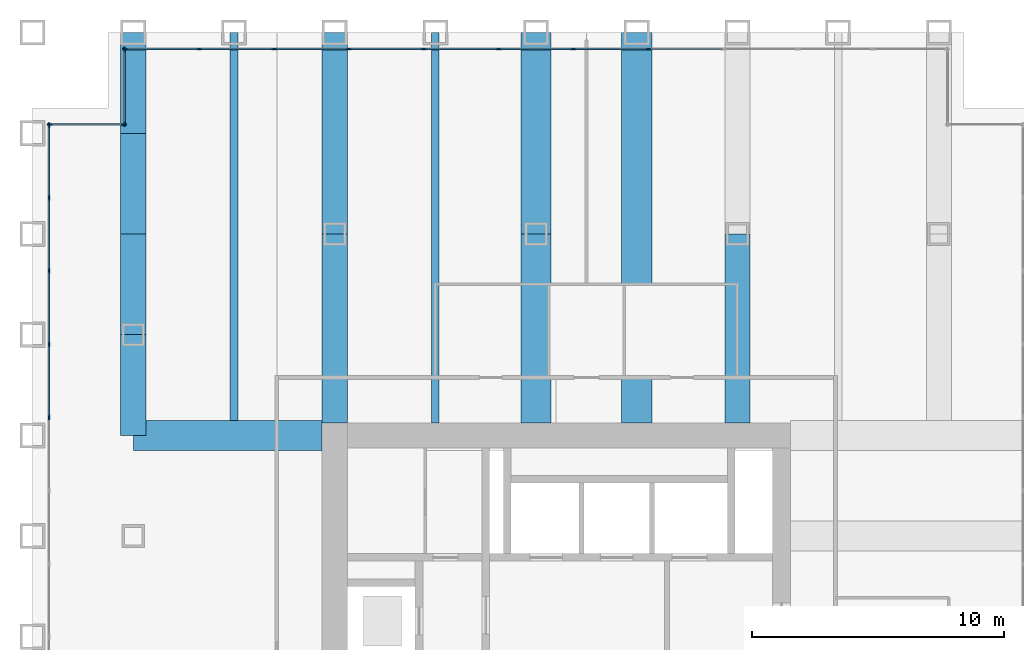
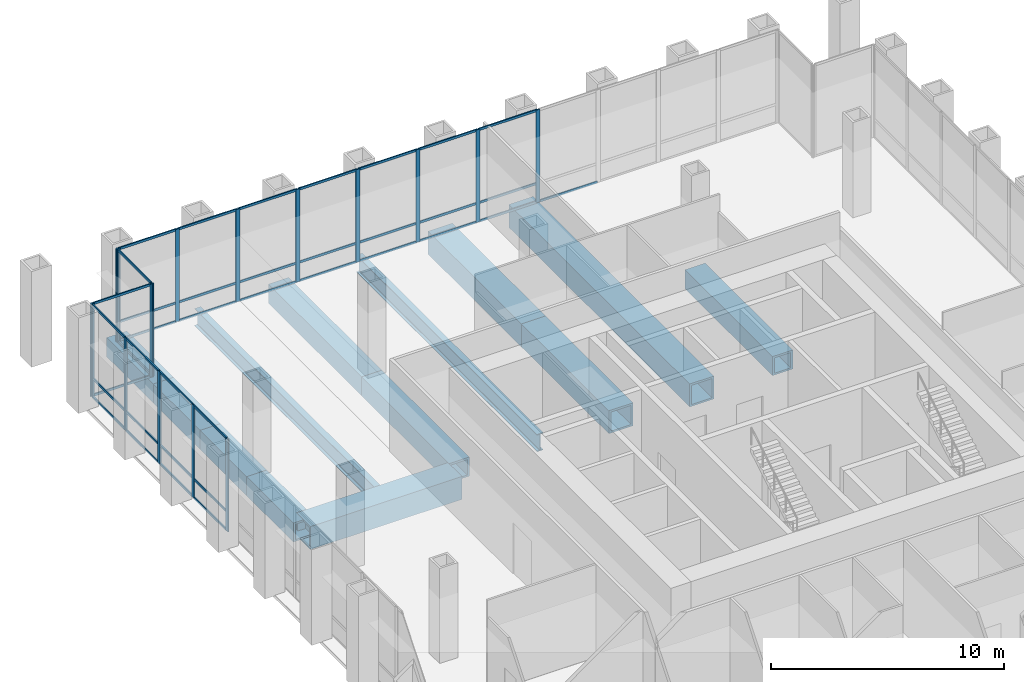
# One storey, part 6 of 13: 55 members, 13 beams, 4 elements without a shape of their own.
"""IFC4 building model written with IfcOpenShell, lengths in metres."""

from ifc_helpers import new_model, si_unit, direction, frame, origin, origin_2d, place, context, subcontext, project, spatial, rectangle, hollow_rectangle, i_section, extrude, material, material_profile, profile_set, type_object, element, aggregate, save


model = new_model("IFC4")

# Units and contexts
model_context = context("Model", 3, precision=1e-05, world=origin(), true_north=direction((0.0, 1.0)))
body_context = subcontext(model_context, "Body", "Model", "MODEL_VIEW")
ifc_project = project(units=[si_unit("LENGTHUNIT", "METRE"), si_unit("AREAUNIT", "SQUARE_METRE"), si_unit("VOLUMEUNIT", "CUBIC_METRE"), si_unit("PLANEANGLEUNIT", "RADIAN"), si_unit("MASSUNIT", "GRAM", prefix="KILO")], contexts=[model_context])

# Site, building, storey
site_placement = place(None, origin())
site = spatial("IfcSite", under=ifc_project, at=site_placement, CompositionType="ELEMENT")
building_placement = place(site_placement, origin())
building = spatial("IfcBuilding", under=site, at=building_placement, Name="Rimbunsela Tower", CompositionType="ELEMENT")
storey_placement = place(building_placement, frame((0.0, 0.0, 142.800048828125)))
storey = spatial("IfcBuildingStorey", under=building, at=storey_placement, Name="L34", CompositionType="ELEMENT", Elevation=142.800048828125)

# Beams
ifc_material_1 = material(Name="Steel BJ 55 (fy 410 MPa)", Category="steel")
ifc_material_profile_1 = material_profile(ifc_material_1, hollow_rectangle(XDim=1.0, YDim=1.0, WallThickness=0.10009765625, at=origin_2d()), Name="BOX 1000x1000x100")
ifc_profile_set_1 = profile_set([ifc_material_profile_1], Name="Steel BJ 55 (fy 410 MPa)")
beam_type_1 = type_object("IfcBeamType", Name="Beam BOX 1000x1000x100", PredefinedType="BEAM", material=ifc_profile_set_1)
for number, where, z_axis, x_axis, name in (
    (1, (10.0, 36.0, -0.650146484375), (0.0, 1.0, 0.0), (-1.0, 0.0, 0.0), "Beam B3 L34"),
    (2, (10.0, 40.0, -0.650146484375), (0.0, 1.0, 0.0), (-1.0, 0.0, 0.0), "Beam B3 L34"),
    (3, (10.0, 44.0, -0.650146484375), (0.0, 1.0, 0.0), (-1.0, 0.0, 0.0), "Beam B3 L34"),
    (4, (10.0, 48.0, -0.650146484375), (0.0, 1.0, 0.0), (-1.0, 0.0, 0.0), "Beam B3 L34"),
):
    element("IfcBeam", number, at=place(storey_placement, frame(where, z_axis=z_axis, x_axis=x_axis)), inside=storey, type_object=beam_type_1, Name=name, PredefinedType="BEAM", context=body_context, shape_type="SweptSolid", body=[
        extrude(hollow_rectangle(XDim=1.0, YDim=1.0, WallThickness=0.10009765625, at=origin_2d()), origin(), (0.0, 0.0, 1.0), 4.0),
    ])
beam_1_placement = place(storey_placement, frame((18.0, 36.5, -0.650146484375), z_axis=(0.0, 1.0, 0.0), x_axis=(-1.0, 0.0, 0.0)))
element("IfcBeam", 5, at=beam_1_placement, inside=storey, type_object=beam_type_1, Name="Beam B3 L34", PredefinedType="BEAM", context=body_context, shape_type="SweptSolid", body=[
    extrude(hollow_rectangle(XDim=1.0, YDim=1.0, WallThickness=0.10009765625, at=origin_2d()), origin(), (0.0, 0.0, 1.0), 7.5),
])
beam_2_placement = place(storey_placement, frame((18.0, 44.0, -0.650146484375), z_axis=(0.0, 1.0, 0.0), x_axis=(-1.0, 0.0, 0.0)))
element("IfcBeam", 6, at=beam_2_placement, inside=storey, type_object=beam_type_1, Name="Beam B3 L34", PredefinedType="BEAM", context=body_context, shape_type="SweptSolid", body=[
    extrude(hollow_rectangle(XDim=1.0, YDim=1.0, WallThickness=0.10009765625, at=origin_2d()), origin(), (0.0, 0.0, 1.0), 8.0),
])
beam_3_placement = place(storey_placement, frame((34.0, 36.5, -0.650146484375), z_axis=(0.0, 1.0, 0.0), x_axis=(-1.0, 0.0, 0.0)))
element("IfcBeam", 7, at=beam_3_placement, inside=storey, type_object=beam_type_1, Name="Beam B3 L34", PredefinedType="BEAM", context=body_context, shape_type="SweptSolid", body=[
    extrude(hollow_rectangle(XDim=1.0, YDim=1.0, WallThickness=0.10009765625, at=origin_2d()), origin(), (0.0, 0.0, 1.0), 7.5),
])
ifc_material_2 = material(Name="Steel BJ 55 (fy 410 MPa)", Category="steel")
ifc_material_profile_2 = material_profile(ifc_material_2, hollow_rectangle(XDim=1.199951171875, YDim=1.199951171875, WallThickness=0.10009765625, at=origin_2d()), Name="BOX 1200x1200x100")
ifc_profile_set_2 = profile_set([ifc_material_profile_2], Name="Steel BJ 55 (fy 410 MPa)")
beam_type_2 = type_object("IfcBeamType", Name="Beam BOX 1200x1200x100", PredefinedType="BEAM", material=ifc_profile_set_2)
for number, where, z_axis, x_axis, name in (
    (8, (10.0, 36.0, -0.75), (1.0, 0.0, 0.0), (0.0, 1.0, 0.0), "Beam B5 L34"),
    (9, (26.0, 36.5, -0.75), (0.0, 1.0, 0.0), (-1.0, 0.0, 0.0), "Beam B5 L34"),
):
    element("IfcBeam", number, at=place(storey_placement, frame(where, z_axis=z_axis, x_axis=x_axis)), inside=storey, type_object=beam_type_2, Name=name, PredefinedType="BEAM", context=body_context, shape_type="SweptSolid", body=[
        extrude(hollow_rectangle(XDim=1.199951171875, YDim=1.199951171875, WallThickness=0.10009765625, at=origin_2d()), origin(), (0.0, 0.0, 1.0), 7.5),
    ])
beam_4_placement = place(storey_placement, frame((26.0, 44.0, -0.75), z_axis=(0.0, 1.0, 0.0), x_axis=(-1.0, 0.0, 0.0)))
element("IfcBeam", 10, at=beam_4_placement, inside=storey, type_object=beam_type_2, Name="Beam B5 L34", PredefinedType="BEAM", context=body_context, shape_type="SweptSolid", body=[
    extrude(hollow_rectangle(XDim=1.199951171875, YDim=1.199951171875, WallThickness=0.10009765625, at=origin_2d()), origin(), (0.0, 0.0, 1.0), 8.0),
])
beam_5_placement = place(storey_placement, frame((30.0, 36.5, -0.75), z_axis=(0.0, 1.0, 0.0), x_axis=(-1.0, 0.0, 0.0)))
element("IfcBeam", 11, at=beam_5_placement, inside=storey, type_object=beam_type_2, Name="Beam B5 L34", PredefinedType="BEAM", context=body_context, shape_type="SweptSolid", body=[
    extrude(hollow_rectangle(XDim=1.199951171875, YDim=1.199951171875, WallThickness=0.10009765625, at=origin_2d()), origin(), (0.0, 0.0, 1.0), 15.5),
])
ifc_material_3 = material(Name="Steel BJ 55 (fy 410 MPa)", Category="steel")
ifc_material_profile_3 = material_profile(ifc_material_3, i_section(OverallWidth=0.300048828125, OverallDepth=0.89990234375, WebThickness=0.01611328125, FlangeThickness=0.028076171875, FilletRadius=0.028076171875, at=origin_2d()), Name="H 900x300x16x28")
ifc_profile_set_3 = profile_set([ifc_material_profile_3], Name="Steel BJ 55 (fy 410 MPa)")
beam_type_3 = type_object("IfcBeamType", Name="Beam H 900x300x16x28", PredefinedType="BEAM", material=ifc_profile_set_3)
beam_6_placement = place(storey_placement, frame((14.0, 36.60009765625, -0.60009765625), z_axis=(0.0, 1.0, 0.0), x_axis=(-1.0, 0.0, 0.0)))
element("IfcBeam", 12, at=beam_6_placement, inside=storey, type_object=beam_type_3, Name="Beam B2 L34", PredefinedType="BEAM", context=body_context, shape_type="SweptSolid", body=[
    extrude(i_section(OverallWidth=0.300048828125, OverallDepth=0.89990234375, WebThickness=0.01611328125, FlangeThickness=0.028076171875, FilletRadius=0.028076171875, at=origin_2d()), origin(), (0.0, 0.0, 1.0), 15.39990234375),
])
beam_7_placement = place(storey_placement, frame((22.0, 36.5, -0.60009765625), z_axis=(0.0, 1.0, 0.0), x_axis=(-1.0, 0.0, 0.0)))
element("IfcBeam", 13, at=beam_7_placement, inside=storey, type_object=beam_type_3, Name="Beam B2 L34", PredefinedType="BEAM", context=body_context, shape_type="SweptSolid", body=[
    extrude(i_section(OverallWidth=0.300048828125, OverallDepth=0.89990234375, WebThickness=0.01611328125, FlangeThickness=0.028076171875, FilletRadius=0.028076171875, at=origin_2d()), origin(), (0.0, 0.0, 1.0), 15.5),
])

# Curtain wall, members
ifc_material_4 = material(Name="Aluminium curtain wall", Category="aluminium")
curtain_wall_type_1 = type_object("IfcCurtainWallType", Name="Sky lobby glazing", PredefinedType="USERDEFINED", material=ifc_material_4)
curtain_wall_1_placement = place(storey_placement, origin())
curtain_wall_1 = element("IfcCurtainWall", 14, at=curtain_wall_1_placement, inside=storey, type_object=curtain_wall_type_1, Name="Sky lobby glazing L34", ObjectType="SKY LOBBY GLAZING", PredefinedType="USERDEFINED")
ifc_material_5 = material(Name="Aluminium mullion", Category="aluminium")
ifc_material_profile_4 = material_profile(ifc_material_5, rectangle(XDim=0.06005859375, YDim=0.199951171875, at=origin_2d()), Name="Mullion 60x200")
ifc_profile_set_4 = profile_set([ifc_material_profile_4], Name="Aluminium mullion")
member_type_1 = type_object("IfcMemberType", Name="Curtain wall mullion 60x200", PredefinedType="MULLION", material=ifc_profile_set_4)
member_1_placement = place(storey_placement, frame((30.458984375, 51.35009765625, 0.0), z_axis=(0.0, 0.0, 1.0), x_axis=(0.0, -1.0, 0.0)))
member_1 = element("IfcMember", 15, at=member_1_placement, type_object=member_type_1, Name="CW4 mullion 5", PredefinedType="MULLION", context=body_context, shape_type="SweptSolid", body=[
    extrude(rectangle(XDim=0.06005859375, YDim=0.199951171875, at=origin_2d()), origin(), (0.0, 0.0, 1.0), 4.849853515625),
])
member_2_placement = place(storey_placement, frame((27.486328125, 51.35009765625, 0.0), z_axis=(0.0, 0.0, 1.0), x_axis=(0.0, -1.0, 0.0)))
member_2 = element("IfcMember", 16, at=member_2_placement, type_object=member_type_1, Name="CW4 mullion 6", PredefinedType="MULLION", context=body_context, shape_type="SweptSolid", body=[
    extrude(rectangle(XDim=0.06005859375, YDim=0.199951171875, at=origin_2d()), origin(), (0.0, 0.0, 1.0), 4.849853515625),
])
member_3_placement = place(storey_placement, frame((24.513671875, 51.35009765625, 0.0), z_axis=(0.0, 0.0, 1.0), x_axis=(0.0, -1.0, 0.0)))
member_3 = element("IfcMember", 17, at=member_3_placement, type_object=member_type_1, Name="CW4 mullion 7", PredefinedType="MULLION", context=body_context, shape_type="SweptSolid", body=[
    extrude(rectangle(XDim=0.06005859375, YDim=0.199951171875, at=origin_2d()), origin(), (0.0, 0.0, 1.0), 4.849853515625),
])
member_4_placement = place(storey_placement, frame((21.541015625, 51.35009765625, 0.0), z_axis=(0.0, 0.0, 1.0), x_axis=(0.0, -1.0, 0.0)))
member_4 = element("IfcMember", 18, at=member_4_placement, type_object=member_type_1, Name="CW4 mullion 8", PredefinedType="MULLION", context=body_context, shape_type="SweptSolid", body=[
    extrude(rectangle(XDim=0.06005859375, YDim=0.199951171875, at=origin_2d()), origin(), (0.0, 0.0, 1.0), 4.849853515625),
])
member_5_placement = place(storey_placement, frame((18.568115234375, 51.35009765625, 0.0), z_axis=(0.0, 0.0, 1.0), x_axis=(0.0, -1.0, 0.0)))
member_5 = element("IfcMember", 19, at=member_5_placement, type_object=member_type_1, Name="CW4 mullion 9", PredefinedType="MULLION", context=body_context, shape_type="SweptSolid", body=[
    extrude(rectangle(XDim=0.06005859375, YDim=0.199951171875, at=origin_2d()), origin(), (0.0, 0.0, 1.0), 4.849853515625),
])
member_6_placement = place(storey_placement, frame((15.595458984375, 51.35009765625, 0.0), z_axis=(0.0, 0.0, 1.0), x_axis=(0.0, -1.0, 0.0)))
member_6 = element("IfcMember", 20, at=member_6_placement, type_object=member_type_1, Name="CW4 mullion 10", PredefinedType="MULLION", context=body_context, shape_type="SweptSolid", body=[
    extrude(rectangle(XDim=0.06005859375, YDim=0.199951171875, at=origin_2d()), origin(), (0.0, 0.0, 1.0), 4.849853515625),
])
member_7_placement = place(storey_placement, frame((12.622802734375, 51.35009765625, 0.0), z_axis=(0.0, 0.0, 1.0), x_axis=(0.0, -1.0, 0.0)))
member_7 = element("IfcMember", 21, at=member_7_placement, type_object=member_type_1, Name="CW4 mullion 11", PredefinedType="MULLION", context=body_context, shape_type="SweptSolid", body=[
    extrude(rectangle(XDim=0.06005859375, YDim=0.199951171875, at=origin_2d()), origin(), (0.0, 0.0, 1.0), 4.849853515625),
])
member_8_placement = place(storey_placement, frame((9.679931640625, 51.35009765625, 0.0), z_axis=(0.0, 0.0, 1.0), x_axis=(0.0, -1.0, 0.0)))
member_8 = element("IfcMember", 22, at=member_8_placement, type_object=member_type_1, Name="CW4 mullion 12", PredefinedType="MULLION", context=body_context, shape_type="SweptSolid", body=[
    extrude(rectangle(XDim=0.06005859375, YDim=0.199951171875, at=origin_2d()), origin(), (0.0, 0.0, 1.0), 4.849853515625),
])

ifc_material_6 = material(Name="Aluminium curtain wall", Category="aluminium")
curtain_wall_type_2 = type_object("IfcCurtainWallType", Name="Corner glazing", PredefinedType="USERDEFINED", material=ifc_material_6)
curtain_wall_2_placement = place(storey_placement, origin())
curtain_wall_2 = element("IfcCurtainWall", 23, at=curtain_wall_2_placement, inside=storey, type_object=curtain_wall_type_2, Name="Corner glazing L34", ObjectType="CORNER GLAZING", PredefinedType="USERDEFINED")
member_9_placement = place(storey_placement, frame((9.64990234375, 51.320068359375, 0.0), z_axis=(0.0, 0.0, 1.0), x_axis=(1.0, 0.0, 0.0)))
member_9 = element("IfcMember", 24, at=member_9_placement, type_object=member_type_1, Name="CW5 mullion 1", PredefinedType="MULLION", context=body_context, shape_type="SweptSolid", body=[
    extrude(rectangle(XDim=0.06005859375, YDim=0.199951171875, at=origin_2d()), origin(), (0.0, 0.0, 1.0), 4.849853515625),
])
member_10_placement = place(storey_placement, frame((9.64990234375, 48.3798828125, 0.0), z_axis=(0.0, 0.0, 1.0), x_axis=(1.0, 0.0, 0.0)))
member_10 = element("IfcMember", 25, at=member_10_placement, type_object=member_type_1, Name="CW5 mullion 2", PredefinedType="MULLION", context=body_context, shape_type="SweptSolid", body=[
    extrude(rectangle(XDim=0.06005859375, YDim=0.199951171875, at=origin_2d()), origin(), (0.0, 0.0, 1.0), 4.849853515625),
])

curtain_wall_3_placement = place(storey_placement, origin())
curtain_wall_3 = element("IfcCurtainWall", 26, at=curtain_wall_3_placement, inside=storey, type_object=curtain_wall_type_2, Name="Corner glazing L34", ObjectType="CORNER GLAZING", PredefinedType="USERDEFINED")
member_11_placement = place(storey_placement, frame((9.6201171875, 48.35009765625, 0.0), z_axis=(0.0, 0.0, 1.0), x_axis=(0.0, -1.0, 0.0)))
member_11 = element("IfcMember", 27, at=member_11_placement, type_object=member_type_1, Name="CW5 mullion 1", PredefinedType="MULLION", context=body_context, shape_type="SweptSolid", body=[
    extrude(rectangle(XDim=0.06005859375, YDim=0.199951171875, at=origin_2d()), origin(), (0.0, 0.0, 1.0), 4.849853515625),
])
member_12_placement = place(storey_placement, frame((6.679931640625, 48.35009765625, 0.0), z_axis=(0.0, 0.0, 1.0), x_axis=(0.0, -1.0, 0.0)))
member_12 = element("IfcMember", 28, at=member_12_placement, type_object=member_type_1, Name="CW5 mullion 2", PredefinedType="MULLION", context=body_context, shape_type="SweptSolid", body=[
    extrude(rectangle(XDim=0.06005859375, YDim=0.199951171875, at=origin_2d()), origin(), (0.0, 0.0, 1.0), 4.849853515625),
])

curtain_wall_4_placement = place(storey_placement, origin())
curtain_wall_4 = element("IfcCurtainWall", 29, at=curtain_wall_4_placement, inside=storey, type_object=curtain_wall_type_1, Name="Sky lobby glazing L34", ObjectType="SKY LOBBY GLAZING", PredefinedType="USERDEFINED")
member_13_placement = place(storey_placement, frame((6.64990234375, 48.320068359375, 0.0), z_axis=(0.0, 0.0, 1.0), x_axis=(1.0, 0.0, 0.0)))
member_13 = element("IfcMember", 30, at=member_13_placement, type_object=member_type_1, Name="CW4 mullion 1", PredefinedType="MULLION", context=body_context, shape_type="SweptSolid", body=[
    extrude(rectangle(XDim=0.06005859375, YDim=0.199951171875, at=origin_2d()), origin(), (0.0, 0.0, 1.0), 4.849853515625),
])
member_14_placement = place(storey_placement, frame((6.64990234375, 45.44287109375, 0.0), z_axis=(0.0, 0.0, 1.0), x_axis=(1.0, 0.0, 0.0)))
member_14 = element("IfcMember", 31, at=member_14_placement, type_object=member_type_1, Name="CW4 mullion 2", PredefinedType="MULLION", context=body_context, shape_type="SweptSolid", body=[
    extrude(rectangle(XDim=0.06005859375, YDim=0.199951171875, at=origin_2d()), origin(), (0.0, 0.0, 1.0), 4.849853515625),
])
member_15_placement = place(storey_placement, frame((6.64990234375, 42.53564453125, 0.0), z_axis=(0.0, 0.0, 1.0), x_axis=(1.0, 0.0, 0.0)))
member_15 = element("IfcMember", 32, at=member_15_placement, type_object=member_type_1, Name="CW4 mullion 3", PredefinedType="MULLION", context=body_context, shape_type="SweptSolid", body=[
    extrude(rectangle(XDim=0.06005859375, YDim=0.199951171875, at=origin_2d()), origin(), (0.0, 0.0, 1.0), 4.849853515625),
])
member_16_placement = place(storey_placement, frame((6.64990234375, 39.628662109375, 0.0), z_axis=(0.0, 0.0, 1.0), x_axis=(1.0, 0.0, 0.0)))
member_16 = element("IfcMember", 33, at=member_16_placement, type_object=member_type_1, Name="CW4 mullion 4", PredefinedType="MULLION", context=body_context, shape_type="SweptSolid", body=[
    extrude(rectangle(XDim=0.06005859375, YDim=0.199951171875, at=origin_2d()), origin(), (0.0, 0.0, 1.0), 4.849853515625),
])
member_17_placement = place(storey_placement, frame((6.64990234375, 36.721435546875, 0.0), z_axis=(0.0, 0.0, 1.0), x_axis=(1.0, 0.0, 0.0)))
member_17 = element("IfcMember", 34, at=member_17_placement, type_object=member_type_1, Name="CW4 mullion 5", PredefinedType="MULLION", context=body_context, shape_type="SweptSolid", body=[
    extrude(rectangle(XDim=0.06005859375, YDim=0.199951171875, at=origin_2d()), origin(), (0.0, 0.0, 1.0), 4.849853515625),
])

# Member
ifc_material_7 = material(Name="Aluminium transom", Category="aluminium")
ifc_material_profile_5 = material_profile(ifc_material_7, rectangle(XDim=0.06005859375, YDim=0.1201171875, at=origin_2d()), Name="Transom 60x120")
ifc_profile_set_5 = profile_set([ifc_material_profile_5], Name="Aluminium transom")
member_type_2 = type_object("IfcMemberType", Name="Curtain wall transom 60x120", PredefinedType="USERDEFINED", material=ifc_profile_set_5)
member_18_placement = place(storey_placement, frame((33.40185546875, 51.35009765625, 0.030029296875), z_axis=(-1.0, 0.0, 0.0), x_axis=(0.0, -1.0, 0.0)))
member_18 = element("IfcMember", 35, at=member_18_placement, type_object=member_type_2, Name="CW4 transom 4.1", ObjectType="TRANSOM", PredefinedType="USERDEFINED", context=body_context, shape_type="SweptSolid", body=[
    extrude(rectangle(XDim=0.06005859375, YDim=0.1201171875, at=origin_2d()), origin(), (0.0, 0.0, 1.0), 2.912841796875),
])

member_19_placement = place(storey_placement, frame((30.42919921875, 51.35009765625, 0.030029296875), z_axis=(-1.0, 0.0, 0.0), x_axis=(0.0, -1.0, 0.0)))
member_19 = element("IfcMember", 36, at=member_19_placement, type_object=member_type_2, Name="CW4 transom 5.1", ObjectType="TRANSOM", PredefinedType="USERDEFINED", context=body_context, shape_type="SweptSolid", body=[
    extrude(rectangle(XDim=0.06005859375, YDim=0.1201171875, at=origin_2d()), origin(), (0.0, 0.0, 1.0), 2.912841796875),
])

member_20_placement = place(storey_placement, frame((30.42919921875, 51.35009765625, 1.0), z_axis=(-1.0, 0.0, 0.0), x_axis=(0.0, -1.0, 0.0)))
member_20 = element("IfcMember", 37, at=member_20_placement, type_object=member_type_2, Name="CW4 transom 5.2", ObjectType="TRANSOM", PredefinedType="USERDEFINED", context=body_context, shape_type="SweptSolid", body=[
    extrude(rectangle(XDim=0.06005859375, YDim=0.1201171875, at=origin_2d()), origin(), (0.0, 0.0, 1.0), 2.912841796875),
])

member_21_placement = place(storey_placement, frame((30.42919921875, 51.35009765625, 4.820068359375), z_axis=(-1.0, 0.0, 0.0), x_axis=(0.0, -1.0, 0.0)))
member_21 = element("IfcMember", 38, at=member_21_placement, type_object=member_type_2, Name="CW4 transom 5.3", ObjectType="TRANSOM", PredefinedType="USERDEFINED", context=body_context, shape_type="SweptSolid", body=[
    extrude(rectangle(XDim=0.06005859375, YDim=0.1201171875, at=origin_2d()), origin(), (0.0, 0.0, 1.0), 2.912841796875),
])

member_22_placement = place(storey_placement, frame((27.456298828125, 51.35009765625, 0.030029296875), z_axis=(-1.0, 0.0, 0.0), x_axis=(0.0, -1.0, 0.0)))
member_22 = element("IfcMember", 39, at=member_22_placement, type_object=member_type_2, Name="CW4 transom 6.1", ObjectType="TRANSOM", PredefinedType="USERDEFINED", context=body_context, shape_type="SweptSolid", body=[
    extrude(rectangle(XDim=0.06005859375, YDim=0.1201171875, at=origin_2d()), origin(), (0.0, 0.0, 1.0), 2.91259765625),
])

member_23_placement = place(storey_placement, frame((27.456298828125, 51.35009765625, 1.0), z_axis=(-1.0, 0.0, 0.0), x_axis=(0.0, -1.0, 0.0)))
member_23 = element("IfcMember", 40, at=member_23_placement, type_object=member_type_2, Name="CW4 transom 6.2", ObjectType="TRANSOM", PredefinedType="USERDEFINED", context=body_context, shape_type="SweptSolid", body=[
    extrude(rectangle(XDim=0.06005859375, YDim=0.1201171875, at=origin_2d()), origin(), (0.0, 0.0, 1.0), 2.91259765625),
])

member_24_placement = place(storey_placement, frame((27.456298828125, 51.35009765625, 4.820068359375), z_axis=(-1.0, 0.0, 0.0), x_axis=(0.0, -1.0, 0.0)))
member_24 = element("IfcMember", 41, at=member_24_placement, type_object=member_type_2, Name="CW4 transom 6.3", ObjectType="TRANSOM", PredefinedType="USERDEFINED", context=body_context, shape_type="SweptSolid", body=[
    extrude(rectangle(XDim=0.06005859375, YDim=0.1201171875, at=origin_2d()), origin(), (0.0, 0.0, 1.0), 2.91259765625),
])

member_25_placement = place(storey_placement, frame((24.483642578125, 51.35009765625, 0.030029296875), z_axis=(-1.0, 0.0, 0.0), x_axis=(0.0, -1.0, 0.0)))
member_25 = element("IfcMember", 42, at=member_25_placement, type_object=member_type_2, Name="CW4 transom 7.1", ObjectType="TRANSOM", PredefinedType="USERDEFINED", context=body_context, shape_type="SweptSolid", body=[
    extrude(rectangle(XDim=0.06005859375, YDim=0.1201171875, at=origin_2d()), origin(), (0.0, 0.0, 1.0), 2.912841796875),
])

member_26_placement = place(storey_placement, frame((24.483642578125, 51.35009765625, 1.0), z_axis=(-1.0, 0.0, 0.0), x_axis=(0.0, -1.0, 0.0)))
member_26 = element("IfcMember", 43, at=member_26_placement, type_object=member_type_2, Name="CW4 transom 7.2", ObjectType="TRANSOM", PredefinedType="USERDEFINED", context=body_context, shape_type="SweptSolid", body=[
    extrude(rectangle(XDim=0.06005859375, YDim=0.1201171875, at=origin_2d()), origin(), (0.0, 0.0, 1.0), 2.912841796875),
])

member_27_placement = place(storey_placement, frame((24.483642578125, 51.35009765625, 4.820068359375), z_axis=(-1.0, 0.0, 0.0), x_axis=(0.0, -1.0, 0.0)))
member_27 = element("IfcMember", 44, at=member_27_placement, type_object=member_type_2, Name="CW4 transom 7.3", ObjectType="TRANSOM", PredefinedType="USERDEFINED", context=body_context, shape_type="SweptSolid", body=[
    extrude(rectangle(XDim=0.06005859375, YDim=0.1201171875, at=origin_2d()), origin(), (0.0, 0.0, 1.0), 2.912841796875),
])

member_28_placement = place(storey_placement, frame((21.510986328125, 51.35009765625, 0.030029296875), z_axis=(-1.0, 0.0, 0.0), x_axis=(0.0, -1.0, 0.0)))
member_28 = element("IfcMember", 45, at=member_28_placement, type_object=member_type_2, Name="CW4 transom 8.1", ObjectType="TRANSOM", PredefinedType="USERDEFINED", context=body_context, shape_type="SweptSolid", body=[
    extrude(rectangle(XDim=0.06005859375, YDim=0.1201171875, at=origin_2d()), origin(), (0.0, 0.0, 1.0), 2.912841796875),
])

member_29_placement = place(storey_placement, frame((21.510986328125, 51.35009765625, 1.0), z_axis=(-1.0, 0.0, 0.0), x_axis=(0.0, -1.0, 0.0)))
member_29 = element("IfcMember", 46, at=member_29_placement, type_object=member_type_2, Name="CW4 transom 8.2", ObjectType="TRANSOM", PredefinedType="USERDEFINED", context=body_context, shape_type="SweptSolid", body=[
    extrude(rectangle(XDim=0.06005859375, YDim=0.1201171875, at=origin_2d()), origin(), (0.0, 0.0, 1.0), 2.912841796875),
])

member_30_placement = place(storey_placement, frame((21.510986328125, 51.35009765625, 4.820068359375), z_axis=(-1.0, 0.0, 0.0), x_axis=(0.0, -1.0, 0.0)))
member_30 = element("IfcMember", 47, at=member_30_placement, type_object=member_type_2, Name="CW4 transom 8.3", ObjectType="TRANSOM", PredefinedType="USERDEFINED", context=body_context, shape_type="SweptSolid", body=[
    extrude(rectangle(XDim=0.06005859375, YDim=0.1201171875, at=origin_2d()), origin(), (0.0, 0.0, 1.0), 2.912841796875),
])

member_31_placement = place(storey_placement, frame((18.5380859375, 51.35009765625, 0.030029296875), z_axis=(-1.0, 0.0, 0.0), x_axis=(0.0, -1.0, 0.0)))
member_31 = element("IfcMember", 48, at=member_31_placement, type_object=member_type_2, Name="CW4 transom 9.1", ObjectType="TRANSOM", PredefinedType="USERDEFINED", context=body_context, shape_type="SweptSolid", body=[
    extrude(rectangle(XDim=0.06005859375, YDim=0.1201171875, at=origin_2d()), origin(), (0.0, 0.0, 1.0), 2.91259765625),
])

member_32_placement = place(storey_placement, frame((18.5380859375, 51.35009765625, 1.0), z_axis=(-1.0, 0.0, 0.0), x_axis=(0.0, -1.0, 0.0)))
member_32 = element("IfcMember", 49, at=member_32_placement, type_object=member_type_2, Name="CW4 transom 9.2", ObjectType="TRANSOM", PredefinedType="USERDEFINED", context=body_context, shape_type="SweptSolid", body=[
    extrude(rectangle(XDim=0.06005859375, YDim=0.1201171875, at=origin_2d()), origin(), (0.0, 0.0, 1.0), 2.91259765625),
])

member_33_placement = place(storey_placement, frame((18.5380859375, 51.35009765625, 4.820068359375), z_axis=(-1.0, 0.0, 0.0), x_axis=(0.0, -1.0, 0.0)))
member_33 = element("IfcMember", 50, at=member_33_placement, type_object=member_type_2, Name="CW4 transom 9.3", ObjectType="TRANSOM", PredefinedType="USERDEFINED", context=body_context, shape_type="SweptSolid", body=[
    extrude(rectangle(XDim=0.06005859375, YDim=0.1201171875, at=origin_2d()), origin(), (0.0, 0.0, 1.0), 2.91259765625),
])

member_34_placement = place(storey_placement, frame((15.5654296875, 51.35009765625, 0.030029296875), z_axis=(-1.0, 0.0, 0.0), x_axis=(0.0, -1.0, 0.0)))
member_34 = element("IfcMember", 51, at=member_34_placement, type_object=member_type_2, Name="CW4 transom 10.1", ObjectType="TRANSOM", PredefinedType="USERDEFINED", context=body_context, shape_type="SweptSolid", body=[
    extrude(rectangle(XDim=0.06005859375, YDim=0.1201171875, at=origin_2d()), origin(), (0.0, 0.0, 1.0), 2.91259765625),
])

member_35_placement = place(storey_placement, frame((15.5654296875, 51.35009765625, 1.0), z_axis=(-1.0, 0.0, 0.0), x_axis=(0.0, -1.0, 0.0)))
member_35 = element("IfcMember", 52, at=member_35_placement, type_object=member_type_2, Name="CW4 transom 10.2", ObjectType="TRANSOM", PredefinedType="USERDEFINED", context=body_context, shape_type="SweptSolid", body=[
    extrude(rectangle(XDim=0.06005859375, YDim=0.1201171875, at=origin_2d()), origin(), (0.0, 0.0, 1.0), 2.91259765625),
])

member_36_placement = place(storey_placement, frame((15.5654296875, 51.35009765625, 4.820068359375), z_axis=(-1.0, 0.0, 0.0), x_axis=(0.0, -1.0, 0.0)))
member_36 = element("IfcMember", 53, at=member_36_placement, type_object=member_type_2, Name="CW4 transom 10.3", ObjectType="TRANSOM", PredefinedType="USERDEFINED", context=body_context, shape_type="SweptSolid", body=[
    extrude(rectangle(XDim=0.06005859375, YDim=0.1201171875, at=origin_2d()), origin(), (0.0, 0.0, 1.0), 2.91259765625),
])

member_37_placement = place(storey_placement, frame((12.5927734375, 51.35009765625, 0.030029296875), z_axis=(-1.0, 0.0, 0.0), x_axis=(0.0, -1.0, 0.0)))
member_37 = element("IfcMember", 54, at=member_37_placement, type_object=member_type_2, Name="CW4 transom 11.1", ObjectType="TRANSOM", PredefinedType="USERDEFINED", context=body_context, shape_type="SweptSolid", body=[
    extrude(rectangle(XDim=0.06005859375, YDim=0.1201171875, at=origin_2d()), origin(), (0.0, 0.0, 1.0), 2.8828125),
])

member_38_placement = place(storey_placement, frame((12.5927734375, 51.35009765625, 1.0), z_axis=(-1.0, 0.0, 0.0), x_axis=(0.0, -1.0, 0.0)))
member_38 = element("IfcMember", 55, at=member_38_placement, type_object=member_type_2, Name="CW4 transom 11.2", ObjectType="TRANSOM", PredefinedType="USERDEFINED", context=body_context, shape_type="SweptSolid", body=[
    extrude(rectangle(XDim=0.06005859375, YDim=0.1201171875, at=origin_2d()), origin(), (0.0, 0.0, 1.0), 2.8828125),
])

member_39_placement = place(storey_placement, frame((12.5927734375, 51.35009765625, 4.820068359375), z_axis=(-1.0, 0.0, 0.0), x_axis=(0.0, -1.0, 0.0)))
member_39 = element("IfcMember", 56, at=member_39_placement, type_object=member_type_2, Name="CW4 transom 11.3", ObjectType="TRANSOM", PredefinedType="USERDEFINED", context=body_context, shape_type="SweptSolid", body=[
    extrude(rectangle(XDim=0.06005859375, YDim=0.1201171875, at=origin_2d()), origin(), (0.0, 0.0, 1.0), 2.8828125),
])

aggregate(curtain_wall_1, [member_1, member_2, member_3, member_4, member_5, member_6, member_7, member_8, member_18, member_19, member_20, member_21, member_22, member_23, member_24, member_25, member_26, member_27, member_28, member_29, member_30, member_31, member_32, member_33, member_34, member_35, member_36, member_37, member_38, member_39])

member_40_placement = place(storey_placement, frame((9.64990234375, 51.2900390625, 0.030029296875), z_axis=(0.0, -1.0, 0.0), x_axis=(1.0, 0.0, 0.0)))
member_40 = element("IfcMember", 57, at=member_40_placement, type_object=member_type_2, Name="CW5 transom 1.1", ObjectType="TRANSOM", PredefinedType="USERDEFINED", context=body_context, shape_type="SweptSolid", body=[
    extrude(rectangle(XDim=0.06005859375, YDim=0.1201171875, at=origin_2d()), origin(), (0.0, 0.0, 1.0), 2.880126953125),
])

member_41_placement = place(storey_placement, frame((9.64990234375, 51.2900390625, 4.820068359375), z_axis=(0.0, -1.0, 0.0), x_axis=(1.0, 0.0, 0.0)))
member_41 = element("IfcMember", 58, at=member_41_placement, type_object=member_type_2, Name="CW5 transom 1.2", ObjectType="TRANSOM", PredefinedType="USERDEFINED", context=body_context, shape_type="SweptSolid", body=[
    extrude(rectangle(XDim=0.06005859375, YDim=0.1201171875, at=origin_2d()), origin(), (0.0, 0.0, 1.0), 2.880126953125),
])

aggregate(curtain_wall_2, [member_9, member_10, member_40, member_41])

member_42_placement = place(storey_placement, frame((9.590087890625, 48.35009765625, 0.030029296875), z_axis=(-1.0, 0.0, 0.0), x_axis=(0.0, -1.0, 0.0)))
member_42 = element("IfcMember", 59, at=member_42_placement, type_object=member_type_2, Name="CW5 transom 1.1", ObjectType="TRANSOM", PredefinedType="USERDEFINED", context=body_context, shape_type="SweptSolid", body=[
    extrude(rectangle(XDim=0.06005859375, YDim=0.1201171875, at=origin_2d()), origin(), (0.0, 0.0, 1.0), 2.880126953125),
])

member_43_placement = place(storey_placement, frame((9.590087890625, 48.35009765625, 4.820068359375), z_axis=(-1.0, 0.0, 0.0), x_axis=(0.0, -1.0, 0.0)))
member_43 = element("IfcMember", 60, at=member_43_placement, type_object=member_type_2, Name="CW5 transom 1.2", ObjectType="TRANSOM", PredefinedType="USERDEFINED", context=body_context, shape_type="SweptSolid", body=[
    extrude(rectangle(XDim=0.06005859375, YDim=0.1201171875, at=origin_2d()), origin(), (0.0, 0.0, 1.0), 2.880126953125),
])

aggregate(curtain_wall_3, [member_11, member_12, member_42, member_43])

member_44_placement = place(storey_placement, frame((6.64990234375, 48.2900390625, 0.030029296875), z_axis=(0.0, -1.0, 0.0), x_axis=(1.0, 0.0, 0.0)))
member_44 = element("IfcMember", 61, at=member_44_placement, type_object=member_type_2, Name="CW4 transom 1.1", ObjectType="TRANSOM", PredefinedType="USERDEFINED", context=body_context, shape_type="SweptSolid", body=[
    extrude(rectangle(XDim=0.06005859375, YDim=0.1201171875, at=origin_2d()), origin(), (0.0, 0.0, 1.0), 2.817138671875),
])

member_45_placement = place(storey_placement, frame((6.64990234375, 48.2900390625, 1.0), z_axis=(0.0, -1.0, 0.0), x_axis=(1.0, 0.0, 0.0)))
member_45 = element("IfcMember", 62, at=member_45_placement, type_object=member_type_2, Name="CW4 transom 1.2", ObjectType="TRANSOM", PredefinedType="USERDEFINED", context=body_context, shape_type="SweptSolid", body=[
    extrude(rectangle(XDim=0.06005859375, YDim=0.1201171875, at=origin_2d()), origin(), (0.0, 0.0, 1.0), 2.817138671875),
])

member_46_placement = place(storey_placement, frame((6.64990234375, 48.2900390625, 4.820068359375), z_axis=(0.0, -1.0, 0.0), x_axis=(1.0, 0.0, 0.0)))
member_46 = element("IfcMember", 63, at=member_46_placement, type_object=member_type_2, Name="CW4 transom 1.3", ObjectType="TRANSOM", PredefinedType="USERDEFINED", context=body_context, shape_type="SweptSolid", body=[
    extrude(rectangle(XDim=0.06005859375, YDim=0.1201171875, at=origin_2d()), origin(), (0.0, 0.0, 1.0), 2.817138671875),
])

member_47_placement = place(storey_placement, frame((6.64990234375, 45.412841796875, 0.030029296875), z_axis=(0.0, -1.0, 0.0), x_axis=(1.0, 0.0, 0.0)))
member_47 = element("IfcMember", 64, at=member_47_placement, type_object=member_type_2, Name="CW4 transom 2.1", ObjectType="TRANSOM", PredefinedType="USERDEFINED", context=body_context, shape_type="SweptSolid", body=[
    extrude(rectangle(XDim=0.06005859375, YDim=0.1201171875, at=origin_2d()), origin(), (0.0, 0.0, 1.0), 2.84716796875),
])

member_48_placement = place(storey_placement, frame((6.64990234375, 45.412841796875, 1.0), z_axis=(0.0, -1.0, 0.0), x_axis=(1.0, 0.0, 0.0)))
member_48 = element("IfcMember", 65, at=member_48_placement, type_object=member_type_2, Name="CW4 transom 2.2", ObjectType="TRANSOM", PredefinedType="USERDEFINED", context=body_context, shape_type="SweptSolid", body=[
    extrude(rectangle(XDim=0.06005859375, YDim=0.1201171875, at=origin_2d()), origin(), (0.0, 0.0, 1.0), 2.84716796875),
])

member_49_placement = place(storey_placement, frame((6.64990234375, 45.412841796875, 4.820068359375), z_axis=(0.0, -1.0, 0.0), x_axis=(1.0, 0.0, 0.0)))
member_49 = element("IfcMember", 66, at=member_49_placement, type_object=member_type_2, Name="CW4 transom 2.3", ObjectType="TRANSOM", PredefinedType="USERDEFINED", context=body_context, shape_type="SweptSolid", body=[
    extrude(rectangle(XDim=0.06005859375, YDim=0.1201171875, at=origin_2d()), origin(), (0.0, 0.0, 1.0), 2.84716796875),
])

member_50_placement = place(storey_placement, frame((6.64990234375, 42.505615234375, 0.030029296875), z_axis=(0.0, -1.0, 0.0), x_axis=(1.0, 0.0, 0.0)))
member_50 = element("IfcMember", 67, at=member_50_placement, type_object=member_type_2, Name="CW4 transom 3.1", ObjectType="TRANSOM", PredefinedType="USERDEFINED", context=body_context, shape_type="SweptSolid", body=[
    extrude(rectangle(XDim=0.06005859375, YDim=0.1201171875, at=origin_2d()), origin(), (0.0, 0.0, 1.0), 2.846923828125),
])

member_51_placement = place(storey_placement, frame((6.64990234375, 42.505615234375, 1.0), z_axis=(0.0, -1.0, 0.0), x_axis=(1.0, 0.0, 0.0)))
member_51 = element("IfcMember", 68, at=member_51_placement, type_object=member_type_2, Name="CW4 transom 3.2", ObjectType="TRANSOM", PredefinedType="USERDEFINED", context=body_context, shape_type="SweptSolid", body=[
    extrude(rectangle(XDim=0.06005859375, YDim=0.1201171875, at=origin_2d()), origin(), (0.0, 0.0, 1.0), 2.846923828125),
])

member_52_placement = place(storey_placement, frame((6.64990234375, 42.505615234375, 4.820068359375), z_axis=(0.0, -1.0, 0.0), x_axis=(1.0, 0.0, 0.0)))
member_52 = element("IfcMember", 69, at=member_52_placement, type_object=member_type_2, Name="CW4 transom 3.3", ObjectType="TRANSOM", PredefinedType="USERDEFINED", context=body_context, shape_type="SweptSolid", body=[
    extrude(rectangle(XDim=0.06005859375, YDim=0.1201171875, at=origin_2d()), origin(), (0.0, 0.0, 1.0), 2.846923828125),
])

member_53_placement = place(storey_placement, frame((6.64990234375, 39.5986328125, 0.030029296875), z_axis=(0.0, -1.0, 0.0), x_axis=(1.0, 0.0, 0.0)))
member_53 = element("IfcMember", 70, at=member_53_placement, type_object=member_type_2, Name="CW4 transom 4.1", ObjectType="TRANSOM", PredefinedType="USERDEFINED", context=body_context, shape_type="SweptSolid", body=[
    extrude(rectangle(XDim=0.06005859375, YDim=0.1201171875, at=origin_2d()), origin(), (0.0, 0.0, 1.0), 2.84716796875),
])

member_54_placement = place(storey_placement, frame((6.64990234375, 39.5986328125, 1.0), z_axis=(0.0, -1.0, 0.0), x_axis=(1.0, 0.0, 0.0)))
member_54 = element("IfcMember", 71, at=member_54_placement, type_object=member_type_2, Name="CW4 transom 4.2", ObjectType="TRANSOM", PredefinedType="USERDEFINED", context=body_context, shape_type="SweptSolid", body=[
    extrude(rectangle(XDim=0.06005859375, YDim=0.1201171875, at=origin_2d()), origin(), (0.0, 0.0, 1.0), 2.84716796875),
])

member_55_placement = place(storey_placement, frame((6.64990234375, 39.5986328125, 4.820068359375), z_axis=(0.0, -1.0, 0.0), x_axis=(1.0, 0.0, 0.0)))
member_55 = element("IfcMember", 72, at=member_55_placement, type_object=member_type_2, Name="CW4 transom 4.3", ObjectType="TRANSOM", PredefinedType="USERDEFINED", context=body_context, shape_type="SweptSolid", body=[
    extrude(rectangle(XDim=0.06005859375, YDim=0.1201171875, at=origin_2d()), origin(), (0.0, 0.0, 1.0), 2.84716796875),
])

aggregate(curtain_wall_4, [member_13, member_14, member_15, member_16, member_17, member_44, member_45, member_46, member_47, member_48, member_49, member_50, member_51, member_52, member_53, member_54, member_55])

save(model, "model.ifc")
